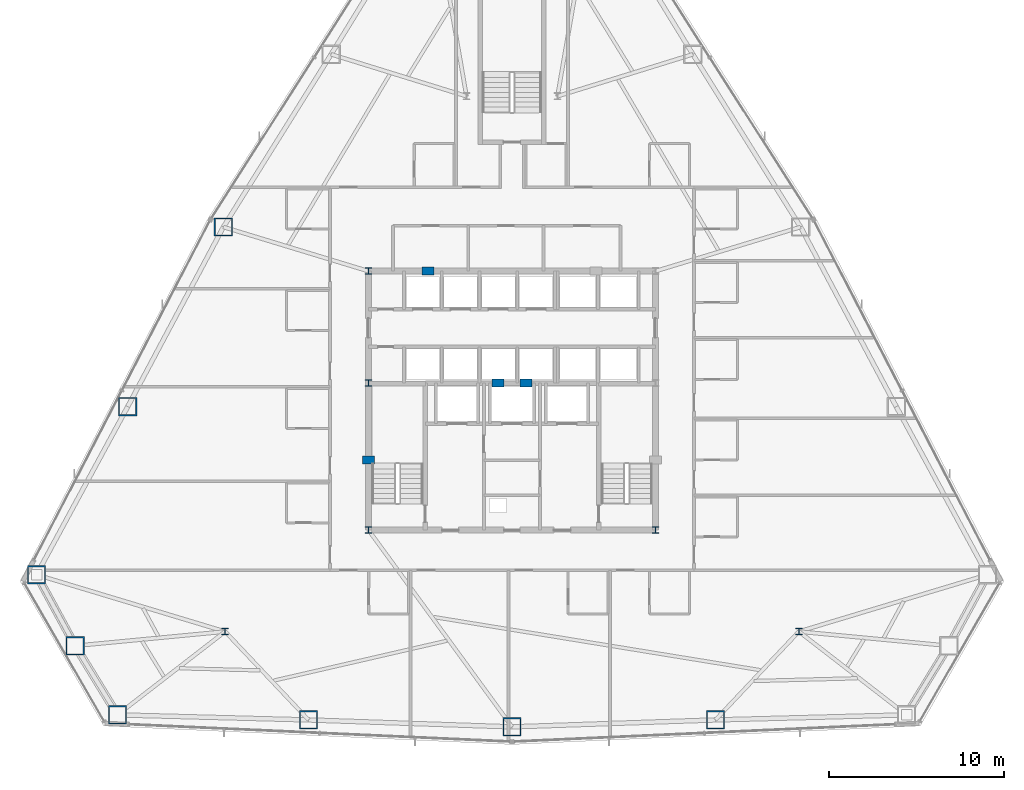
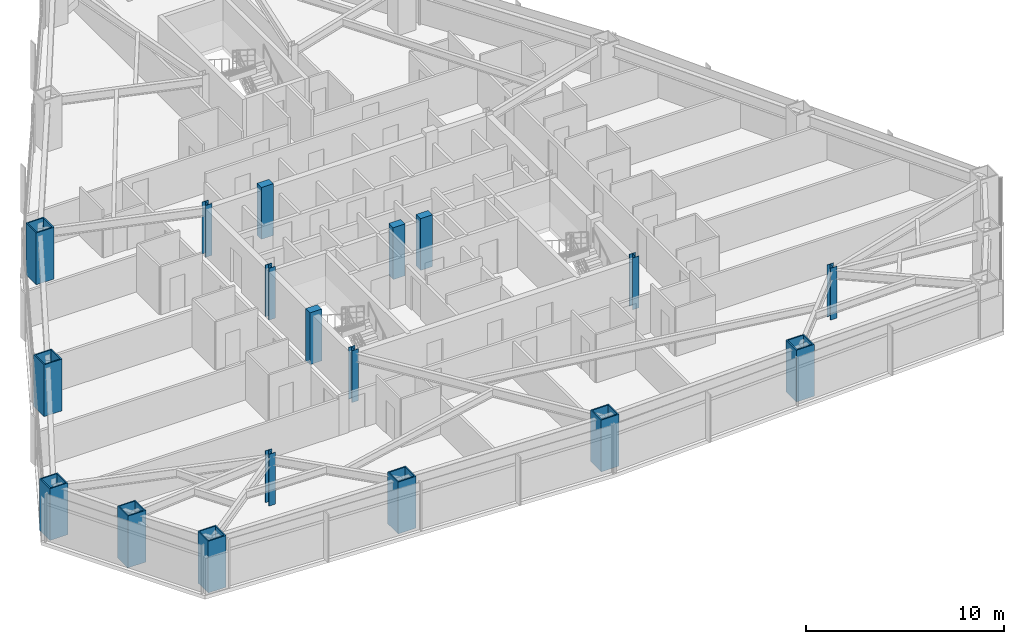
# One storey, part 1 of 13: 18 columns.
"""IFC4 building model written with IfcOpenShell, lengths in metres."""

from ifc_helpers import new_model, si_unit, direction, frame, origin, origin_2d, place, context, subcontext, project, spatial, rectangle, hollow_rectangle, i_section, extrude, material, material_profile, profile_set, type_object, element, save


model = new_model("IFC4")

# Units and contexts
model_context = context("Model", 3, precision=1e-05, world=origin(), true_north=direction((0.0, 1.0)))
body_context = subcontext(model_context, "Body", "Model", "MODEL_VIEW")
ifc_project = project(units=[si_unit("LENGTHUNIT", "METRE"), si_unit("AREAUNIT", "SQUARE_METRE"), si_unit("VOLUMEUNIT", "CUBIC_METRE"), si_unit("PLANEANGLEUNIT", "RADIAN"), si_unit("MASSUNIT", "GRAM", prefix="KILO")], contexts=[model_context])

# Site, building, storey
site_placement = place(None, origin())
site = spatial("IfcSite", under=ifc_project, at=site_placement, CompositionType="ELEMENT")
building_placement = place(site_placement, origin())
building = spatial("IfcBuilding", under=site, at=building_placement, Name="Varakhsha Concourse Tower", CompositionType="ELEMENT")
storey_placement = place(building_placement, frame((0.0, 0.0, 86.199951171875)))
storey = spatial("IfcBuildingStorey", under=building, at=storey_placement, Name="L24", CompositionType="ELEMENT", Elevation=86.199951171875)

# Columns
ifc_material_1 = material(Name="Structural Steel ASTM A992 Grade 50", Category="steel")
ifc_material_profile_1 = material_profile(ifc_material_1, i_section(OverallWidth=0.3740234375, OverallDepth=0.3720703125, WebThickness=0.01611328125, FlangeThickness=0.02587890625, at=origin_2d()), Name="W14X132")
ifc_profile_set_1 = profile_set([ifc_material_profile_1], Name="Structural Steel ASTM A992 Grade 50")
column_type_1 = type_object("IfcColumnType", Name="CL-CORE-W14X132", PredefinedType="COLUMN", material=ifc_profile_set_1)
for number, where, z_axis, x_axis, name in (
    (1, (31.800048828125, 16.39990234375, 0.0), (0.0, 0.0, 1.0), (1.0, 0.0, 0.0), "L24 Core Column CC-SW"),
    (2, (48.199951171875, 16.39990234375, 0.0), (0.0, 0.0, 1.0), (1.0, 0.0, 0.0), "L24 Core Column CC-SE"),
    (3, (31.800048828125, 24.800048828125, 0.0), (0.0, 0.0, 1.0), (1.0, 0.0, 0.0), "L24 Core Column CC-MW"),
    (4, (31.800048828125, 31.199951171875, 0.0), (0.0, 0.0, 1.0), (1.0, 0.0, 0.0), "L24 Core Column CC-NW"),
    (5, (23.60009765625, 10.60009765625, 0.0), (0.0, 0.0, 1.0), (1.0, 0.0, 0.0), "L24 Core Column SS-W"),
    (6, (56.39990234375, 10.60009765625, 0.0), (0.0, 0.0, 1.0), (1.0, 0.0, 0.0), "L24 Core Column SS-E"),
):
    element("IfcColumn", number, at=place(storey_placement, frame(where, z_axis=z_axis, x_axis=x_axis)), inside=storey, type_object=column_type_1, Name=name, PredefinedType="COLUMN", context=body_context, shape_type="SweptSolid", body=[
        extrude(i_section(OverallWidth=0.3740234375, OverallDepth=0.3720703125, WebThickness=0.01611328125, FlangeThickness=0.02587890625, at=origin_2d()), origin(), (0.0, 0.0, 1.0), 3.199951171875),
    ])
ifc_material_2 = material(Name="Concrete fc 65 MPa", Category="concrete")
ifc_material_profile_2 = material_profile(ifc_material_2, rectangle(XDim=0.699951171875, YDim=0.449951171875, at=origin_2d()), Name="RC 700x450")
ifc_profile_set_2 = profile_set([ifc_material_profile_2], Name="Concrete fc 65 MPa")
column_type_2 = type_object("IfcColumnType", Name="CL-PIL-700X450", PredefinedType="PILASTER", material=ifc_profile_set_2)
for number, where, z_axis, x_axis, name in (
    (7, (31.800048828125, 20.39990234375, 0.0), (0.0, 0.0, 1.0), (1.0, 0.0, 0.0), "L24 Core Boundary Pilaster PIL-W1"),
    (8, (35.199951171875, 31.199951171875, 0.0), (0.0, 0.0, 1.0), (1.0, 0.0, 0.0), "L24 Core Boundary Pilaster PIL-N1"),
    (9, (39.199951171875, 24.800048828125, 0.0), (0.0, 0.0, 1.0), (1.0, 0.0, 0.0), "L24 Core Boundary Pilaster PIL-M1"),
    (10, (40.800048828125, 24.800048828125, 0.0), (0.0, 0.0, 1.0), (1.0, 0.0, 0.0), "L24 Core Boundary Pilaster PIL-M2"),
):
    element("IfcColumn", number, at=place(storey_placement, frame(where, z_axis=z_axis, x_axis=x_axis)), inside=storey, type_object=column_type_2, Name=name, PredefinedType="PILASTER", context=body_context, shape_type="SweptSolid", body=[
        extrude(rectangle(XDim=0.699951171875, YDim=0.449951171875, at=origin_2d()), origin(), (0.0, 0.0, 1.0), 3.199951171875),
    ])
ifc_material_3 = material(Name="Structural Steel ASTM A572 Grade 50", Category="steel")
ifc_material_profile_3 = material_profile(ifc_material_3, hollow_rectangle(XDim=1.050048828125, YDim=1.050048828125, WallThickness=0.070068359375, at=origin_2d()), Name="BOX 1050x1050x70")
ifc_profile_set_3 = profile_set([ifc_material_profile_3], Name="Structural Steel ASTM A572 Grade 50")
column_type_3 = type_object("IfcColumnType", Name="CL-TUBE-1050", PredefinedType="COLUMN", material=ifc_profile_set_3)
for number, where, z_axis, x_axis, name in (
    (11, (23.50390625, 33.72412109375, 0.0), (0.0, 0.0, 1.0), (1.0, 0.0, 0.0), "L24 Framed-Tube Column TC05"),
    (12, (18.033203125, 23.45458984375, 0.0), (0.0, 0.0, 1.0), (1.0, 0.0, 0.0), "L24 Framed-Tube Column TC06"),
    (13, (12.822509765625, 13.849365234375, 0.0), (0.0, 0.0, 1.0), (1.0, 0.0, 0.0), "L24 Framed-Tube Column TC07"),
    (14, (15.03173828125, 9.784423828125, 0.0), (0.0, 0.0, 1.0), (1.0, 0.0, 0.0), "L24 Framed-Tube Column TC08"),
    (15, (17.447265625, 5.8388671875, 0.0), (0.0, 0.0, 1.0), (1.0, 0.0, 0.0), "L24 Framed-Tube Column TC09"),
    (16, (28.37109375, 5.549072265625, 0.0), (0.0, 0.0, 1.0), (1.0, 0.0, 0.0), "L24 Framed-Tube Column TC10"),
    (17, (40.0, 5.15185546875, 0.0), (0.0, 0.0, 1.0), (1.0, 0.0, 0.0), "L24 Framed-Tube Column TC11"),
    (18, (51.62890625, 5.549072265625, 0.0), (0.0, 0.0, 1.0), (1.0, 0.0, 0.0), "L24 Framed-Tube Column TC12"),
):
    element("IfcColumn", number, at=place(storey_placement, frame(where, z_axis=z_axis, x_axis=x_axis)), inside=storey, type_object=column_type_3, Name=name, PredefinedType="COLUMN", context=body_context, shape_type="SweptSolid", body=[
        extrude(hollow_rectangle(XDim=1.050048828125, YDim=1.050048828125, WallThickness=0.070068359375, at=origin_2d()), origin(), (0.0, 0.0, 1.0), 3.199951171875),
    ])

save(model, "model.ifc")
